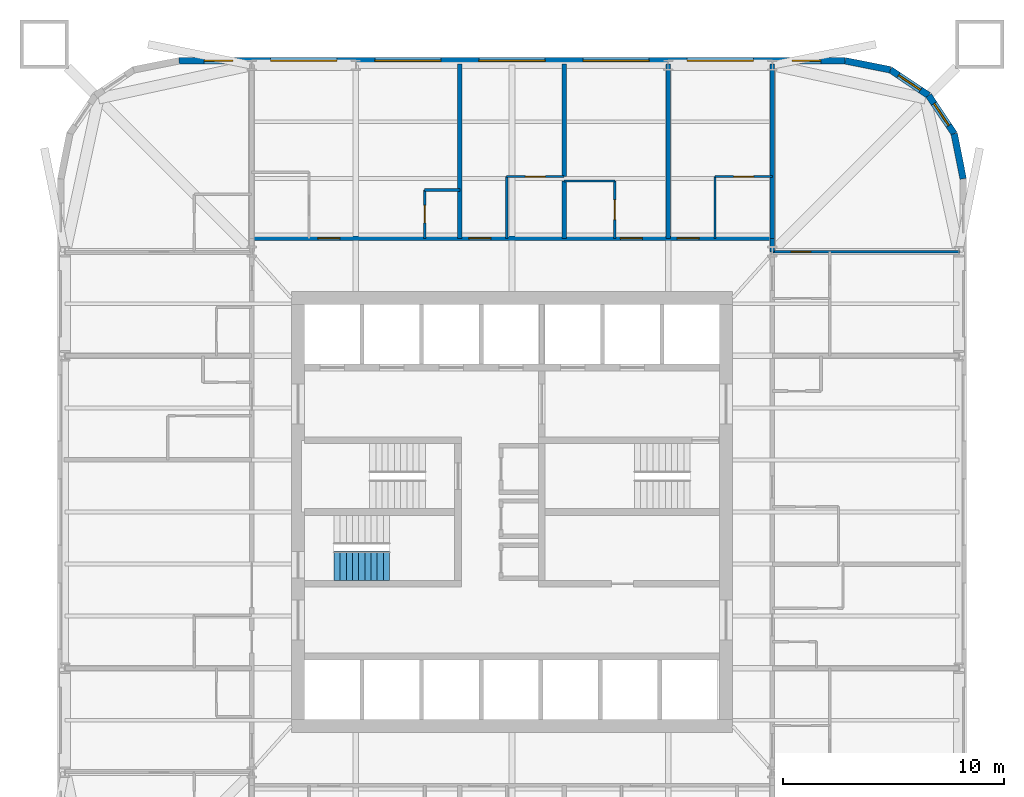
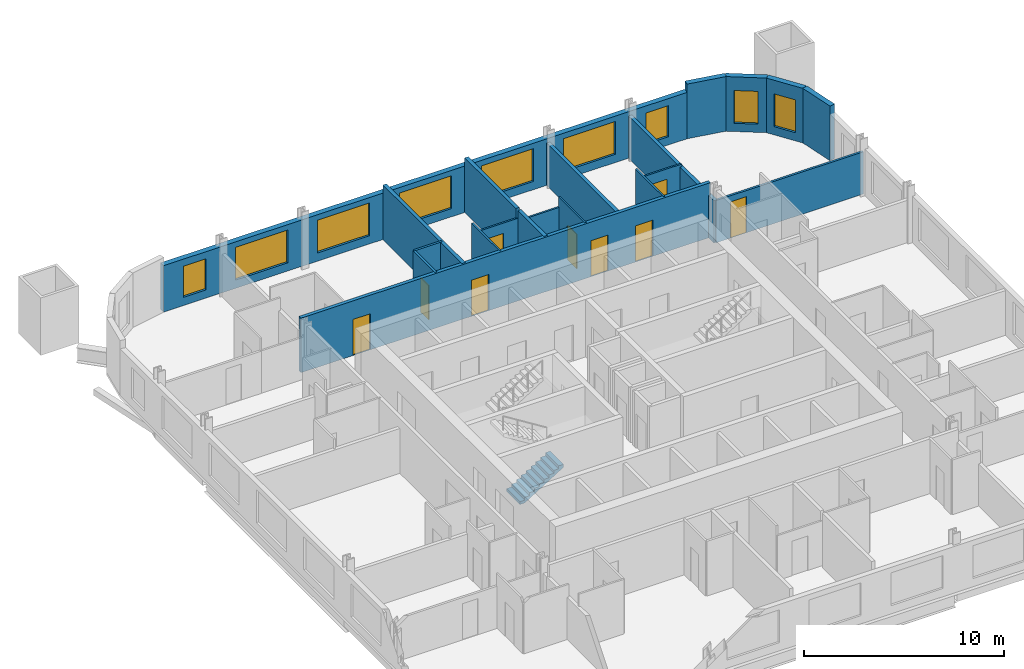
# One storey, part 7 of 9: 21 walls, 9 doors, 9 windows, 1 stair flight, 18 openings, 1 element without a shape of its own.
"""IFC4 building model written with IfcOpenShell, lengths in metres."""

from ifc_helpers import new_model, si_unit, direction, frame, frame_2d, origin, place, context, subcontext, project, spatial, polyline, rectangle, outline, extrude, material, layer, layer_set, type_object, element, fill, aggregate, save


model = new_model("IFC4")

# Units and contexts
model_context = context("Model", 3, precision=1e-05, world=origin(), true_north=direction((0.0, 1.0)))
body_context = subcontext(model_context, "Body", "Model", "MODEL_VIEW")
ifc_project = project(units=[si_unit("LENGTHUNIT", "METRE"), si_unit("AREAUNIT", "SQUARE_METRE"), si_unit("VOLUMEUNIT", "CUBIC_METRE"), si_unit("PLANEANGLEUNIT", "RADIAN"), si_unit("MASSUNIT", "GRAM", prefix="KILO")], contexts=[model_context])

# Site, building, storey
site_placement = place(None, origin())
site = spatial("IfcSite", under=ifc_project, at=site_placement, CompositionType="ELEMENT")
building_placement = place(site_placement, origin())
building = spatial("IfcBuilding", under=site, at=building_placement, Name="Turquesa Mirador Hotel Tower", CompositionType="ELEMENT")
storey_placement = place(building_placement, frame((0.0, 0.0, 100.39990234375)))
storey = spatial("IfcBuildingStorey", under=building, at=storey_placement, Name="L26", CompositionType="ELEMENT", Elevation=100.39990234375)

# Wall
ifc_material_1 = material(Name="Gypsum board on steel studs", Category="steel")
ifc_layer_1 = layer(ifc_material_1, 0.10009765625)
ifc_layer_set_1 = layer_set([ifc_layer_1], Name="BATHROOM WALL 100")
wall_type_1 = type_object("IfcWallType", Name="BATHROOM WALL 100", PredefinedType="PARTITIONING", material=ifc_layer_set_1)
wall_1_placement = place(storey_placement, frame((57.360107421875, 60.0, 0.0), z_axis=(0.0, 0.0, 1.0), x_axis=(1.0, 0.0, 0.0)))
element("IfcWall", 1, at=wall_1_placement, inside=storey, type_object=wall_type_1, Name="Partition L26 027", PredefinedType="PARTITIONING", context=body_context, shape_type="SweptSolid", body=[
    extrude(rectangle(XDim=2.2998046875, YDim=0.10009765625, at=frame_2d((1.14990234375, 0.0))), origin(), (0.0, 0.0, 1.0), 2.730712890625),
])

# Wall, opening, door
wall_2_placement = place(storey_placement, frame((54.760009765625, 60.199951171875, 0.0), z_axis=(0.0, 0.0, 1.0), x_axis=(1.0, 0.0, 0.0)))
wall_2 = element("IfcWall", 2, at=wall_2_placement, inside=storey, type_object=wall_type_1, Name="Partition L26 028", PredefinedType="PARTITIONING", context=body_context, shape_type="SweptSolid", body=[
    extrude(rectangle(XDim=2.60009765625, YDim=0.10009765625, at=frame_2d((1.300048828125, 0.0))), origin(), (0.0, 0.0, 1.0), 2.730712890625),
])
opening_1_placement = place(wall_2_placement, frame((0.85009765625, 0.0, 0.0)))
opening_1 = element("IfcOpeningElement", 3, at=opening_1_placement, cuts=wall_2, Name="Opening D02", PredefinedType="OPENING", context=body_context, shape_type="SweptSolid", body=[
    extrude(rectangle(XDim=0.89990234375, YDim=2.10009765625, at=frame_2d((0.449951171875, 1.050048828125))), frame((0.0, 0.06005859375, 0.0), z_axis=(0.0, -1.0, 0.0), x_axis=(1.0, 0.0, 0.0)), (0.0, 0.0, 1.0), 0.1201171875),
])
ifc_material_2 = material(Name="Timber veneered door", Category="wood")
door_type_1 = type_object("IfcDoorType", Name="DOOR 900X2100 EN-SUITE", OperationType="SINGLE_SWING_RIGHT", PredefinedType="DOOR", material=ifc_material_2)
door_1_placement = place(opening_1_placement, origin())
door_1 = element("IfcDoor", 4, at=door_1_placement, inside=storey, type_object=door_type_1, Name="Door 2602B", OperationType="SINGLE_SWING_RIGHT", OverallHeight=2.10009765625, OverallWidth=0.89990234375, PredefinedType="DOOR", context=body_context, shape_type="SweptSolid", body=[
    extrude(rectangle(XDim=0.89990234375, YDim=2.10009765625, at=frame_2d((0.449951171875, 1.050048828125))), frame((0.0, 0.02490234375, 0.0), z_axis=(0.0, -1.0, 0.0), x_axis=(1.0, 0.0, 0.0)), (0.0, 0.0, 1.0), 0.050048828125),
])
fill(opening_1, door_1)

wall_3_placement = place(storey_placement, frame((64.199951171875, 60.199951171875, 0.0), z_axis=(0.0, 0.0, 1.0), x_axis=(1.0, 0.0, 0.0)))
wall_3 = element("IfcWall", 5, at=wall_3_placement, inside=storey, type_object=wall_type_1, Name="Partition L26 029", PredefinedType="PARTITIONING", context=body_context, shape_type="SweptSolid", body=[
    extrude(rectangle(XDim=2.60009765625, YDim=0.10009765625, at=frame_2d((1.300048828125, 0.0))), origin(), (0.0, 0.0, 1.0), 2.730712890625),
])
opening_2_placement = place(wall_3_placement, frame((0.85009765625, 0.0, 0.0)))
opening_2 = element("IfcOpeningElement", 6, at=opening_2_placement, cuts=wall_3, Name="Opening D02", PredefinedType="OPENING", context=body_context, shape_type="SweptSolid", body=[
    extrude(rectangle(XDim=0.89990234375, YDim=2.10009765625, at=frame_2d((0.449951171875, 1.050048828125))), frame((0.0, 0.06005859375, 0.0), z_axis=(0.0, -1.0, 0.0), x_axis=(1.0, 0.0, 0.0)), (0.0, 0.0, 1.0), 0.1201171875),
])
door_2_placement = place(opening_2_placement, origin())
door_2 = element("IfcDoor", 7, at=door_2_placement, inside=storey, type_object=door_type_1, Name="Door 2604B", OperationType="SINGLE_SWING_RIGHT", OverallHeight=2.10009765625, OverallWidth=0.89990234375, PredefinedType="DOOR", context=body_context, shape_type="SweptSolid", body=[
    extrude(rectangle(XDim=0.89990234375, YDim=2.10009765625, at=frame_2d((0.449951171875, 1.050048828125))), frame((0.0, 0.02490234375, 0.0), z_axis=(0.0, -1.0, 0.0), x_axis=(1.0, 0.0, 0.0)), (0.0, 0.0, 1.0), 0.050048828125),
])
fill(opening_2, door_2)

# Wall
wall_4_placement = place(storey_placement, frame((54.760009765625, 57.39990234375, 0.0), z_axis=(0.0, 0.0, 1.0), x_axis=(0.0, 1.0, 0.0)))
element("IfcWall", 8, at=wall_4_placement, inside=storey, type_object=wall_type_1, Name="Partition L26 040", PredefinedType="PARTITIONING", context=body_context, shape_type="SweptSolid", body=[
    extrude(rectangle(XDim=2.800048828125, YDim=0.10009765625, at=frame_2d((1.39990234375, 0.0))), origin(), (0.0, 0.0, 1.0), 3.330078125),
])

# Wall, opening, door
wall_5_placement = place(storey_placement, frame((59.659912109375, 57.39990234375, 0.0), z_axis=(0.0, 0.0, 1.0), x_axis=(0.0, 1.0, 0.0)))
wall_5 = element("IfcWall", 9, at=wall_5_placement, inside=storey, type_object=wall_type_1, Name="Partition L26 073", PredefinedType="PARTITIONING", context=body_context, shape_type="SweptSolid", body=[
    extrude(rectangle(XDim=2.60009765625, YDim=0.10009765625, at=frame_2d((1.300048828125, 0.0))), origin(), (0.0, 0.0, 1.0), 3.330078125),
])
opening_3_placement = place(wall_5_placement, frame((0.85009765625, 0.0, 0.0)))
opening_3 = element("IfcOpeningElement", 10, at=opening_3_placement, cuts=wall_5, Name="Opening D02", PredefinedType="OPENING", context=body_context, shape_type="SweptSolid", body=[
    extrude(rectangle(XDim=0.89990234375, YDim=2.10009765625, at=frame_2d((0.449951171875, 1.050048828125))), frame((0.0, 0.06005859375, 0.0), z_axis=(0.0, -1.0, 0.0), x_axis=(1.0, 0.0, 0.0)), (0.0, 0.0, 1.0), 0.1201171875),
])
door_3_placement = place(opening_3_placement, origin())
door_3 = element("IfcDoor", 11, at=door_3_placement, inside=storey, type_object=door_type_1, Name="Door 2603B", OperationType="SINGLE_SWING_RIGHT", OverallHeight=2.10009765625, OverallWidth=0.89990234375, PredefinedType="DOOR", context=body_context, shape_type="SweptSolid", body=[
    extrude(rectangle(XDim=0.89990234375, YDim=2.10009765625, at=frame_2d((0.449951171875, 1.050048828125))), frame((0.0, 0.02490234375, 0.0), z_axis=(0.0, -1.0, 0.0), x_axis=(1.0, 0.0, 0.0)), (0.0, 0.0, 1.0), 0.050048828125),
])
fill(opening_3, door_3)

# Wall
wall_6_placement = place(storey_placement, frame((64.199951171875, 57.39990234375, 0.0), z_axis=(0.0, 0.0, 1.0), x_axis=(0.0, 1.0, 0.0)))
element("IfcWall", 12, at=wall_6_placement, inside=storey, type_object=wall_type_1, Name="Partition L26 076", PredefinedType="PARTITIONING", context=body_context, shape_type="SweptSolid", body=[
    extrude(rectangle(XDim=2.800048828125, YDim=0.10009765625, at=frame_2d((1.39990234375, 0.0))), origin(), (0.0, 0.0, 1.0), 3.330078125),
])

# Wall, openings, doors
ifc_material_3 = material(Name="Fire-rated gypsum board on steel studs", Category="steel")
ifc_layer_2 = layer(ifc_material_3, 0.199951171875)
ifc_layer_set_2 = layer_set([ifc_layer_2], Name="CORRIDOR WALL 200")
wall_type_2 = type_object("IfcWallType", Name="CORRIDOR WALL 200", PredefinedType="PARTITIONING", material=ifc_layer_set_2)
wall_7_placement = place(storey_placement, frame((43.199951171875, 57.39990234375, 0.0), z_axis=(0.0, 0.0, 1.0), x_axis=(1.0, 0.0, 0.0)))
wall_7 = element("IfcWall", 13, at=wall_7_placement, inside=storey, type_object=wall_type_2, Name="Partition L26 024", PredefinedType="PARTITIONING", context=body_context, shape_type="SweptSolid", body=[
    extrude(rectangle(XDim=23.60009765625, YDim=0.199951171875, at=frame_2d((11.800048828125, 0.0))), origin(), (0.0, 0.0, 1.0), 3.330078125),
])
opening_4_placement = place(wall_7_placement, frame((3.0, 0.0, 0.0)))
opening_4 = element("IfcOpeningElement", 14, at=opening_4_placement, cuts=wall_7, Name="Opening D01", PredefinedType="OPENING", context=body_context, shape_type="SweptSolid", body=[
    extrude(rectangle(XDim=1.0, YDim=2.199951171875, at=frame_2d((0.5, 1.10009765625))), frame((0.0, 0.10986328125, 0.0), z_axis=(0.0, -1.0, 0.0), x_axis=(1.0, 0.0, 0.0)), (0.0, 0.0, 1.0), 0.219970703125),
])
opening_5_placement = place(wall_7_placement, frame((9.840087890625, 0.0, 0.0)))
opening_5 = element("IfcOpeningElement", 15, at=opening_5_placement, cuts=wall_7, Name="Opening D01", PredefinedType="OPENING", context=body_context, shape_type="SweptSolid", body=[
    extrude(rectangle(XDim=1.0, YDim=2.199951171875, at=frame_2d((0.5, 1.10009765625))), frame((0.0, 0.10986328125, 0.0), z_axis=(0.0, -1.0, 0.0), x_axis=(1.0, 0.0, 0.0)), (0.0, 0.0, 1.0), 0.219970703125),
])
opening_6_placement = place(wall_7_placement, frame((16.7099609375, 0.0, 0.0)))
opening_6 = element("IfcOpeningElement", 16, at=opening_6_placement, cuts=wall_7, Name="Opening D01", PredefinedType="OPENING", context=body_context, shape_type="SweptSolid", body=[
    extrude(rectangle(XDim=1.0, YDim=2.199951171875, at=frame_2d((0.5, 1.10009765625))), frame((0.0, 0.10986328125, 0.0), z_axis=(0.0, -1.0, 0.0), x_axis=(1.0, 0.0, 0.0)), (0.0, 0.0, 1.0), 0.219970703125),
])
opening_7_placement = place(wall_7_placement, frame((19.280029296875, 0.0, 0.0)))
opening_7 = element("IfcOpeningElement", 17, at=opening_7_placement, cuts=wall_7, Name="Opening D01", PredefinedType="OPENING", context=body_context, shape_type="SweptSolid", body=[
    extrude(rectangle(XDim=1.0, YDim=2.199951171875, at=frame_2d((0.5, 1.10009765625))), frame((0.0, 0.10986328125, 0.0), z_axis=(0.0, -1.0, 0.0), x_axis=(1.0, 0.0, 0.0)), (0.0, 0.0, 1.0), 0.219970703125),
])
ifc_material_4 = material(Name="Timber veneered fire door", Category="wood")
door_type_2 = type_object("IfcDoorType", Name="DOOR 1000X2200 GUEST ENTRY", OperationType="SINGLE_SWING_LEFT", PredefinedType="DOOR", material=ifc_material_4)
door_4_placement = place(opening_4_placement, origin())
door_4 = element("IfcDoor", 18, at=door_4_placement, inside=storey, type_object=door_type_2, Name="Door 2601", OperationType="SINGLE_SWING_LEFT", OverallHeight=2.199951171875, OverallWidth=1.0, PredefinedType="DOOR", context=body_context, shape_type="SweptSolid", body=[
    extrude(rectangle(XDim=1.0, YDim=2.199951171875, at=frame_2d((0.5, 1.10009765625))), frame((0.0, 0.02490234375, 0.0), z_axis=(0.0, -1.0, 0.0), x_axis=(1.0, 0.0, 0.0)), (0.0, 0.0, 1.0), 0.050048828125),
])
fill(opening_4, door_4)
door_5_placement = place(opening_5_placement, origin())
door_5 = element("IfcDoor", 19, at=door_5_placement, inside=storey, type_object=door_type_2, Name="Door 2602", OperationType="SINGLE_SWING_LEFT", OverallHeight=2.199951171875, OverallWidth=1.0, PredefinedType="DOOR", context=body_context, shape_type="SweptSolid", body=[
    extrude(rectangle(XDim=1.0, YDim=2.199951171875, at=frame_2d((0.5, 1.10009765625))), frame((0.0, 0.02490234375, 0.0), z_axis=(0.0, -1.0, 0.0), x_axis=(1.0, 0.0, 0.0)), (0.0, 0.0, 1.0), 0.050048828125),
])
fill(opening_5, door_5)
door_6_placement = place(opening_6_placement, origin())
door_6 = element("IfcDoor", 20, at=door_6_placement, inside=storey, type_object=door_type_2, Name="Door 2603", OperationType="SINGLE_SWING_LEFT", OverallHeight=2.199951171875, OverallWidth=1.0, PredefinedType="DOOR", context=body_context, shape_type="SweptSolid", body=[
    extrude(rectangle(XDim=1.0, YDim=2.199951171875, at=frame_2d((0.5, 1.10009765625))), frame((0.0, 0.02490234375, 0.0), z_axis=(0.0, -1.0, 0.0), x_axis=(1.0, 0.0, 0.0)), (0.0, 0.0, 1.0), 0.050048828125),
])
fill(opening_6, door_6)
door_7_placement = place(opening_7_placement, origin())
door_7 = element("IfcDoor", 21, at=door_7_placement, inside=storey, type_object=door_type_2, Name="Door 2604", OperationType="SINGLE_SWING_LEFT", OverallHeight=2.199951171875, OverallWidth=1.0, PredefinedType="DOOR", context=body_context, shape_type="SweptSolid", body=[
    extrude(rectangle(XDim=1.0, YDim=2.199951171875, at=frame_2d((0.5, 1.10009765625))), frame((0.0, 0.02490234375, 0.0), z_axis=(0.0, -1.0, 0.0), x_axis=(1.0, 0.0, 0.0)), (0.0, 0.0, 1.0), 0.050048828125),
])
fill(opening_7, door_7)

# Walls
wall_8_placement = place(storey_placement, frame((66.800048828125, 56.780029296875, 0.0), z_axis=(0.0, 0.0, 1.0), x_axis=(0.0, 1.0, 0.0)))
element("IfcWall", 22, at=wall_8_placement, inside=storey, type_object=wall_type_2, Name="Partition L26 080", PredefinedType="PARTITIONING", context=body_context, shape_type="SweptSolid", body=[
    extrude(rectangle(XDim=0.619873046875, YDim=0.199951171875, at=frame_2d((0.31005859375, 0.0))), origin(), (0.0, 0.0, 1.0), 2.5732421875),
])
ifc_material_5 = material(Name="Limestone cladding on concrete block", Category="masonry")
ifc_layer_3 = layer(ifc_material_5, 0.300048828125)
ifc_layer_set_3 = layer_set([ifc_layer_3], Name="FACADE WALL 300 STONE SCREEN")
wall_type_3 = type_object("IfcWallType", Name="FACADE WALL 300 STONE SCREEN", PredefinedType="SOLIDWALL", material=ifc_layer_set_3)
wall_9_placement = place(storey_placement, frame((75.449951171875, 60.10009765625, 0.0), z_axis=(0.0, 0.0, 1.0), x_axis=(-0.195081421501, 0.980787050784, 0.0)))
element("IfcWall", 23, at=wall_9_placement, inside=storey, type_object=wall_type_3, Name="Facade wall L26 05", PredefinedType="SOLIDWALL", context=body_context, shape_type="SweptSolid", body=[
    extrude(rectangle(XDim=2.08740234375, YDim=0.300048828125, at=frame_2d((1.043701171875, 0.0))), origin(), (0.0, 0.0, 1.0), 3.330078125),
])

# Wall, opening, window
wall_10_placement = place(storey_placement, frame((75.042724609375, 62.1474609375, 0.0), z_axis=(0.0, 0.0, 1.0), x_axis=(-0.555563607591, 0.831474039234, 0.0)))
wall_10 = element("IfcWall", 24, at=wall_10_placement, inside=storey, type_object=wall_type_3, Name="Facade wall L26 06", PredefinedType="SOLIDWALL", context=body_context, shape_type="SweptSolid", body=[
    extrude(rectangle(XDim=2.08740234375, YDim=0.300048828125, at=frame_2d((1.043701171875, 0.0))), origin(), (0.0, 0.0, 1.0), 3.330078125),
])
opening_8_placement = place(wall_10_placement, frame((0.443603515625, 0.0, 0.5)))
opening_8 = element("IfcOpeningElement", 25, at=opening_8_placement, cuts=wall_10, Name="Opening WN4", PredefinedType="OPENING", context=body_context, shape_type="SweptSolid", body=[
    extrude(rectangle(XDim=1.199951171875, YDim=2.0, at=frame_2d((0.60009765625, 1.0))), frame((0.0, 0.159912109375, 0.0), z_axis=(0.0, -1.0, 0.0), x_axis=(1.0, 0.0, 0.0)), (0.0, 0.0, 1.0), 0.320068359375),
])
ifc_material_6 = material(Name="Ceramic-fritted laminated glass", Category="glass")
window_type_1 = type_object("IfcWindowType", Name="FRITTED CORNER WINDOW 1200X2000", PartitioningType="DOUBLE_PANEL_HORIZONTAL", PredefinedType="WINDOW", material=ifc_material_6)
window_1_placement = place(opening_8_placement, origin())
window_1 = element("IfcWindow", 26, at=window_1_placement, inside=storey, type_object=window_type_1, Name="Window L26", OverallHeight=2.0, OverallWidth=1.199951171875, PartitioningType="SINGLE_PANEL", PredefinedType="WINDOW", context=body_context, shape_type="SweptSolid", body=[
    extrude(rectangle(XDim=1.199951171875, YDim=2.0, at=frame_2d((0.60009765625, 1.0))), frame((0.0, 0.030029296875, 0.0), z_axis=(0.0, -1.0, 0.0), x_axis=(1.0, 0.0, 0.0)), (0.0, 0.0, 1.0), 0.06005859375),
])
fill(opening_8, window_1)

wall_11_placement = place(storey_placement, frame((73.883056640625, 63.883056640625, 0.0), z_axis=(0.0, 0.0, 1.0), x_axis=(-0.831474039234, 0.555563607591, 0.0)))
wall_11 = element("IfcWall", 27, at=wall_11_placement, inside=storey, type_object=wall_type_3, Name="Facade wall L26 07", PredefinedType="SOLIDWALL", context=body_context, shape_type="SweptSolid", body=[
    extrude(rectangle(XDim=2.08740234375, YDim=0.300048828125, at=frame_2d((1.043701171875, 0.0))), origin(), (0.0, 0.0, 1.0), 3.330078125),
])
opening_9_placement = place(wall_11_placement, frame((0.443603515625, 0.0, 0.5)))
opening_9 = element("IfcOpeningElement", 28, at=opening_9_placement, cuts=wall_11, Name="Opening WN4", PredefinedType="OPENING", context=body_context, shape_type="SweptSolid", body=[
    extrude(rectangle(XDim=1.199951171875, YDim=2.0, at=frame_2d((0.60009765625, 1.0))), frame((0.0, 0.159912109375, 0.0), z_axis=(0.0, -1.0, 0.0), x_axis=(1.0, 0.0, 0.0)), (0.0, 0.0, 1.0), 0.320068359375),
])
window_2_placement = place(opening_9_placement, origin())
window_2 = element("IfcWindow", 29, at=window_2_placement, inside=storey, type_object=window_type_1, Name="Window L26", OverallHeight=2.0, OverallWidth=1.199951171875, PartitioningType="SINGLE_PANEL", PredefinedType="WINDOW", context=body_context, shape_type="SweptSolid", body=[
    extrude(rectangle(XDim=1.199951171875, YDim=2.0, at=frame_2d((0.60009765625, 1.0))), frame((0.0, 0.030029296875, 0.0), z_axis=(0.0, -1.0, 0.0), x_axis=(1.0, 0.0, 0.0)), (0.0, 0.0, 1.0), 0.06005859375),
])
fill(opening_9, window_2)

# Wall
wall_12_placement = place(storey_placement, frame((72.1474609375, 65.042724609375, 0.0), z_axis=(0.0, 0.0, 1.0), x_axis=(-0.980787050784, 0.195081421501, 0.0)))
element("IfcWall", 30, at=wall_12_placement, inside=storey, type_object=wall_type_3, Name="Facade wall L26 08", PredefinedType="SOLIDWALL", context=body_context, shape_type="SweptSolid", body=[
    extrude(rectangle(XDim=2.08740234375, YDim=0.300048828125, at=frame_2d((1.043701171875, 0.0))), origin(), (0.0, 0.0, 1.0), 3.330078125),
])

# Wall, openings, windows
wall_13_placement = place(storey_placement, frame((70.10009765625, 65.449951171875, 0.0), z_axis=(0.0, 0.0, 1.0), x_axis=(-1.0, 0.0, 0.0)))
wall_13 = element("IfcWall", 31, at=wall_13_placement, inside=storey, type_object=wall_type_3, Name="Facade wall L26 09", PredefinedType="SOLIDWALL", context=body_context, shape_type="SweptSolid", body=[
    extrude(rectangle(XDim=30.2001953125, YDim=0.300048828125, at=frame_2d((15.10009765625, 0.0))), origin(), (0.0, 0.0, 1.0), 2.830078125),
])
opening_10_placement = place(wall_13_placement, frame((1.10009765625, 0.0, 0.5)))
opening_10 = element("IfcOpeningElement", 32, at=opening_10_placement, cuts=wall_13, Name="Opening WN27", PredefinedType="OPENING", context=body_context, shape_type="SweptSolid", body=[
    extrude(rectangle(XDim=1.300048828125, YDim=1.89990234375, at=frame_2d((0.64990234375, 0.949951171875))), frame((0.0, 0.159912109375, 0.0), z_axis=(0.0, -1.0, 0.0), x_axis=(1.0, 0.0, 0.0)), (0.0, 0.0, 1.0), 0.320068359375),
])
opening_11_placement = place(wall_13_placement, frame((4.159912109375, 0.0, 0.5)))
opening_11 = element("IfcOpeningElement", 33, at=opening_11_placement, cuts=wall_13, Name="Opening WN1", PredefinedType="OPENING", context=body_context, shape_type="SweptSolid", body=[
    extrude(rectangle(XDim=3.0, YDim=2.0, at=frame_2d((1.5, 1.0))), frame((0.0, 0.159912109375, 0.0), z_axis=(0.0, -1.0, 0.0), x_axis=(1.0, 0.0, 0.0)), (0.0, 0.0, 1.0), 0.320068359375),
])
opening_12_placement = place(wall_13_placement, frame((8.8798828125, 0.0, 0.5)))
opening_12 = element("IfcOpeningElement", 34, at=opening_12_placement, cuts=wall_13, Name="Opening WN1", PredefinedType="OPENING", context=body_context, shape_type="SweptSolid", body=[
    extrude(rectangle(XDim=3.0, YDim=2.0, at=frame_2d((1.5, 1.0))), frame((0.0, 0.159912109375, 0.0), z_axis=(0.0, -1.0, 0.0), x_axis=(1.0, 0.0, 0.0)), (0.0, 0.0, 1.0), 0.320068359375),
])
opening_13_placement = place(wall_13_placement, frame((13.60009765625, 0.0, 0.5)))
opening_13 = element("IfcOpeningElement", 35, at=opening_13_placement, cuts=wall_13, Name="Opening WN1", PredefinedType="OPENING", context=body_context, shape_type="SweptSolid", body=[
    extrude(rectangle(XDim=3.0, YDim=2.0, at=frame_2d((1.5, 1.0))), frame((0.0, 0.159912109375, 0.0), z_axis=(0.0, -1.0, 0.0), x_axis=(1.0, 0.0, 0.0)), (0.0, 0.0, 1.0), 0.320068359375),
])
opening_14_placement = place(wall_13_placement, frame((18.320068359375, 0.0, 0.5)))
opening_14 = element("IfcOpeningElement", 36, at=opening_14_placement, cuts=wall_13, Name="Opening WN1", PredefinedType="OPENING", context=body_context, shape_type="SweptSolid", body=[
    extrude(rectangle(XDim=3.0, YDim=2.0, at=frame_2d((1.5, 1.0))), frame((0.0, 0.159912109375, 0.0), z_axis=(0.0, -1.0, 0.0), x_axis=(1.0, 0.0, 0.0)), (0.0, 0.0, 1.0), 0.320068359375),
])
opening_15_placement = place(wall_13_placement, frame((23.0400390625, 0.0, 0.5)))
opening_15 = element("IfcOpeningElement", 37, at=opening_15_placement, cuts=wall_13, Name="Opening WN1", PredefinedType="OPENING", context=body_context, shape_type="SweptSolid", body=[
    extrude(rectangle(XDim=3.0, YDim=2.0, at=frame_2d((1.5, 1.0))), frame((0.0, 0.159912109375, 0.0), z_axis=(0.0, -1.0, 0.0), x_axis=(1.0, 0.0, 0.0)), (0.0, 0.0, 1.0), 0.320068359375),
])
opening_16_placement = place(wall_13_placement, frame((27.75, 0.0, 0.5)))
opening_16 = element("IfcOpeningElement", 38, at=opening_16_placement, cuts=wall_13, Name="Opening WN27", PredefinedType="OPENING", context=body_context, shape_type="SweptSolid", body=[
    extrude(rectangle(XDim=1.300048828125, YDim=1.89990234375, at=frame_2d((0.64990234375, 0.949951171875))), frame((0.0, 0.159912109375, 0.0), z_axis=(0.0, -1.0, 0.0), x_axis=(1.0, 0.0, 0.0)), (0.0, 0.0, 1.0), 0.320068359375),
])
ifc_material_7 = material(Name="Ceramic-fritted laminated glass", Category="glass")
window_type_2 = type_object("IfcWindowType", Name="FRITTED WINDOW 1300X1900", PartitioningType="DOUBLE_PANEL_HORIZONTAL", PredefinedType="WINDOW", material=ifc_material_7)
window_3_placement = place(opening_10_placement, origin())
window_3 = element("IfcWindow", 39, at=window_3_placement, inside=storey, type_object=window_type_2, Name="Window L26", OverallHeight=1.89990234375, OverallWidth=1.300048828125, PartitioningType="SINGLE_PANEL", PredefinedType="WINDOW", context=body_context, shape_type="SweptSolid", body=[
    extrude(rectangle(XDim=1.300048828125, YDim=1.89990234375, at=frame_2d((0.64990234375, 0.949951171875))), frame((0.0, 0.030029296875, 0.0), z_axis=(0.0, -1.0, 0.0), x_axis=(1.0, 0.0, 0.0)), (0.0, 0.0, 1.0), 0.06005859375),
])
fill(opening_10, window_3)
window_4_placement = place(opening_16_placement, origin())
window_4 = element("IfcWindow", 40, at=window_4_placement, inside=storey, type_object=window_type_2, Name="Window L26", OverallHeight=1.89990234375, OverallWidth=1.300048828125, PartitioningType="SINGLE_PANEL", PredefinedType="WINDOW", context=body_context, shape_type="SweptSolid", body=[
    extrude(rectangle(XDim=1.300048828125, YDim=1.89990234375, at=frame_2d((0.64990234375, 0.949951171875))), frame((0.0, 0.030029296875, 0.0), z_axis=(0.0, -1.0, 0.0), x_axis=(1.0, 0.0, 0.0)), (0.0, 0.0, 1.0), 0.06005859375),
])
fill(opening_16, window_4)
ifc_material_8 = material(Name="Ceramic-fritted laminated glass", Category="glass")
window_type_3 = type_object("IfcWindowType", Name="FRITTED WINDOW 3000X2000", PartitioningType="DOUBLE_PANEL_HORIZONTAL", PredefinedType="WINDOW", material=ifc_material_8)
window_5_placement = place(opening_11_placement, origin())
window_5 = element("IfcWindow", 41, at=window_5_placement, inside=storey, type_object=window_type_3, Name="Window L26", OverallHeight=2.0, OverallWidth=3.0, PartitioningType="SINGLE_PANEL", PredefinedType="WINDOW", context=body_context, shape_type="SweptSolid", body=[
    extrude(rectangle(XDim=3.0, YDim=2.0, at=frame_2d((1.5, 1.0))), frame((0.0, 0.030029296875, 0.0), z_axis=(0.0, -1.0, 0.0), x_axis=(1.0, 0.0, 0.0)), (0.0, 0.0, 1.0), 0.06005859375),
])
fill(opening_11, window_5)
window_6_placement = place(opening_12_placement, origin())
window_6 = element("IfcWindow", 42, at=window_6_placement, inside=storey, type_object=window_type_3, Name="Window L26", OverallHeight=2.0, OverallWidth=3.0, PartitioningType="SINGLE_PANEL", PredefinedType="WINDOW", context=body_context, shape_type="SweptSolid", body=[
    extrude(rectangle(XDim=3.0, YDim=2.0, at=frame_2d((1.5, 1.0))), frame((0.0, 0.030029296875, 0.0), z_axis=(0.0, -1.0, 0.0), x_axis=(1.0, 0.0, 0.0)), (0.0, 0.0, 1.0), 0.06005859375),
])
fill(opening_12, window_6)
window_7_placement = place(opening_13_placement, origin())
window_7 = element("IfcWindow", 43, at=window_7_placement, inside=storey, type_object=window_type_3, Name="Window L26", OverallHeight=2.0, OverallWidth=3.0, PartitioningType="SINGLE_PANEL", PredefinedType="WINDOW", context=body_context, shape_type="SweptSolid", body=[
    extrude(rectangle(XDim=3.0, YDim=2.0, at=frame_2d((1.5, 1.0))), frame((0.0, 0.030029296875, 0.0), z_axis=(0.0, -1.0, 0.0), x_axis=(1.0, 0.0, 0.0)), (0.0, 0.0, 1.0), 0.06005859375),
])
fill(opening_13, window_7)
window_8_placement = place(opening_14_placement, origin())
window_8 = element("IfcWindow", 44, at=window_8_placement, inside=storey, type_object=window_type_3, Name="Window L26", OverallHeight=2.0, OverallWidth=3.0, PartitioningType="SINGLE_PANEL", PredefinedType="WINDOW", context=body_context, shape_type="SweptSolid", body=[
    extrude(rectangle(XDim=3.0, YDim=2.0, at=frame_2d((1.5, 1.0))), frame((0.0, 0.030029296875, 0.0), z_axis=(0.0, -1.0, 0.0), x_axis=(1.0, 0.0, 0.0)), (0.0, 0.0, 1.0), 0.06005859375),
])
fill(opening_14, window_8)
window_9_placement = place(opening_15_placement, origin())
window_9 = element("IfcWindow", 45, at=window_9_placement, inside=storey, type_object=window_type_3, Name="Window L26", OverallHeight=2.0, OverallWidth=3.0, PartitioningType="SINGLE_PANEL", PredefinedType="WINDOW", context=body_context, shape_type="SweptSolid", body=[
    extrude(rectangle(XDim=3.0, YDim=2.0, at=frame_2d((1.5, 1.0))), frame((0.0, 0.030029296875, 0.0), z_axis=(0.0, -1.0, 0.0), x_axis=(1.0, 0.0, 0.0)), (0.0, 0.0, 1.0), 0.06005859375),
])
fill(opening_15, window_9)

# Walls
ifc_material_9 = material(Name="Fire-rated gypsum board on steel studs", Category="steel")
ifc_layer_4 = layer(ifc_material_9, 0.199951171875)
ifc_layer_set_4 = layer_set([ifc_layer_4], Name="PARTY WALL 200")
wall_type_4 = type_object("IfcWallType", Name="PARTY WALL 200", PredefinedType="PARTITIONING", material=ifc_layer_set_4)
wall_14_placement = place(storey_placement, frame((52.639892578125, 57.39990234375, 0.0), z_axis=(0.0, 0.0, 1.0), x_axis=(0.0, 1.0, 0.0)))
element("IfcWall", 46, at=wall_14_placement, inside=storey, type_object=wall_type_4, Name="Partition L26 052", PredefinedType="PARTITIONING", context=body_context, shape_type="SweptSolid", body=[
    extrude(rectangle(XDim=7.900146484375, YDim=0.199951171875, at=frame_2d((3.9501953125, 0.0))), origin(), (0.0, 0.0, 1.0), 3.330078125),
])
wall_15_placement = place(storey_placement, frame((66.800048828125, 57.39990234375, 0.0), z_axis=(0.0, 0.0, 1.0), x_axis=(0.0, 1.0, 0.0)))
element("IfcWall", 47, at=wall_15_placement, inside=storey, type_object=wall_type_4, Name="Partition L26 060", PredefinedType="PARTITIONING", context=body_context, shape_type="SweptSolid", body=[
    extrude(rectangle(XDim=7.900146484375, YDim=0.199951171875, at=frame_2d((3.9501953125, 0.0))), origin(), (0.0, 0.0, 1.0), 2.5732421875),
])
wall_16_placement = place(storey_placement, frame((57.360107421875, 57.39990234375, 0.0), z_axis=(0.0, 0.0, 1.0), x_axis=(0.0, 1.0, 0.0)))
element("IfcWall", 48, at=wall_16_placement, inside=storey, type_object=wall_type_4, Name="Partition L26 071", PredefinedType="PARTITIONING", context=body_context, shape_type="SweptSolid", body=[
    extrude(rectangle(XDim=2.60009765625, YDim=0.199951171875, at=frame_2d((1.300048828125, 0.0))), origin(), (0.0, 0.0, 1.0), 3.330078125),
])
wall_17_placement = place(storey_placement, frame((57.360107421875, 60.199951171875, 0.0), z_axis=(0.0, 0.0, 1.0), x_axis=(0.0, 1.0, 0.0)))
element("IfcWall", 49, at=wall_17_placement, inside=storey, type_object=wall_type_4, Name="Partition L26 072", PredefinedType="PARTITIONING", context=body_context, shape_type="SweptSolid", body=[
    extrude(rectangle(XDim=5.10009765625, YDim=0.199951171875, at=frame_2d((2.550048828125, 0.0))), origin(), (0.0, 0.0, 1.0), 3.330078125),
])
wall_18_placement = place(storey_placement, frame((62.080078125, 57.39990234375, 0.0), z_axis=(0.0, 0.0, 1.0), x_axis=(0.0, 1.0, 0.0)))
element("IfcWall", 50, at=wall_18_placement, inside=storey, type_object=wall_type_4, Name="Partition L26 075", PredefinedType="PARTITIONING", context=body_context, shape_type="SweptSolid", body=[
    extrude(rectangle(XDim=7.900146484375, YDim=0.199951171875, at=frame_2d((3.9501953125, 0.0))), origin(), (0.0, 0.0, 1.0), 2.5732421875),
])

# Wall, opening, door
ifc_material_10 = material(Name="Acoustic gypsum board on steel studs", Category="steel")
ifc_layer_5 = layer(ifc_material_10, 0.125)
ifc_layer_set_5 = layer_set([ifc_layer_5], Name="SUITE PARTITION 125")
wall_type_5 = type_object("IfcWallType", Name="SUITE PARTITION 125", PredefinedType="PARTITIONING", material=ifc_layer_set_5)
wall_19_placement = place(storey_placement, frame((66.800048828125, 56.800048828125, 0.0), z_axis=(0.0, 0.0, 1.0), x_axis=(1.0, 0.0, 0.0)))
wall_19 = element("IfcWall", 51, at=wall_19_placement, inside=storey, type_object=wall_type_5, Name="Partition L26 023", PredefinedType="PARTITIONING", context=body_context, shape_type="SweptSolid", body=[
    extrude(rectangle(XDim=8.5, YDim=0.125, at=frame_2d((4.25, 0.0))), origin(), (0.0, 0.0, 1.0), 2.5732421875),
])
opening_17_placement = place(wall_19_placement, frame((0.85009765625, 0.0, 0.0)))
opening_17 = element("IfcOpeningElement", 52, at=opening_17_placement, cuts=wall_19, Name="Opening D17", PredefinedType="OPENING", context=body_context, shape_type="SweptSolid", body=[
    extrude(rectangle(XDim=0.89990234375, YDim=2.199951171875, at=frame_2d((0.449951171875, 1.10009765625))), frame((0.0, 0.072509765625, 0.0), z_axis=(0.0, -1.0, 0.0), x_axis=(1.0, 0.0, 0.0)), (0.0, 0.0, 1.0), 0.14501953125),
])
ifc_material_11 = material(Name="Timber veneered door", Category="wood")
door_type_3 = type_object("IfcDoorType", Name="DOOR 900X2200 SUITE INTERNAL", OperationType="SINGLE_SWING_LEFT", PredefinedType="DOOR", material=ifc_material_11)
door_8_placement = place(opening_17_placement, origin())
door_8 = element("IfcDoor", 53, at=door_8_placement, inside=storey, type_object=door_type_3, Name="Door 2611", OperationType="SINGLE_SWING_LEFT", OverallHeight=2.199951171875, OverallWidth=0.89990234375, PredefinedType="DOOR", context=body_context, shape_type="SweptSolid", body=[
    extrude(rectangle(XDim=0.89990234375, YDim=2.199951171875, at=frame_2d((0.449951171875, 1.10009765625))), frame((0.0, 0.02490234375, 0.0), z_axis=(0.0, -1.0, 0.0), x_axis=(1.0, 0.0, 0.0)), (0.0, 0.0, 1.0), 0.050048828125),
])
fill(opening_17, door_8)

# Wall
wall_20_placement = place(storey_placement, frame((51.0400390625, 59.60009765625, 0.0), z_axis=(0.0, 0.0, 1.0), x_axis=(1.0, 0.0, 0.0)))
element("IfcWall", 54, at=wall_20_placement, inside=storey, type_object=wall_type_5, Name="Partition L26 026", PredefinedType="PARTITIONING", context=body_context, shape_type="SweptSolid", body=[
    extrude(rectangle(XDim=1.599853515625, YDim=0.125, at=frame_2d((0.7998046875, 0.0))), origin(), (0.0, 0.0, 1.0), 3.330078125),
])

# Wall, opening, door
wall_21_placement = place(storey_placement, frame((51.0400390625, 57.39990234375, 0.0), z_axis=(0.0, 0.0, 1.0), x_axis=(0.0, 1.0, 0.0)))
wall_21 = element("IfcWall", 55, at=wall_21_placement, inside=storey, type_object=wall_type_5, Name="Partition L26 054", PredefinedType="PARTITIONING", context=body_context, shape_type="SweptSolid", body=[
    extrude(rectangle(XDim=2.2001953125, YDim=0.125, at=frame_2d((1.10009765625, 0.0))), origin(), (0.0, 0.0, 1.0), 3.330078125),
])
opening_18_placement = place(wall_21_placement, frame((0.699951171875, 0.0, 0.0)))
opening_18 = element("IfcOpeningElement", 56, at=opening_18_placement, cuts=wall_21, Name="Opening D20", PredefinedType="OPENING", context=body_context, shape_type="SweptSolid", body=[
    extrude(rectangle(XDim=0.800048828125, YDim=2.10009765625, at=frame_2d((0.39990234375, 1.050048828125))), frame((0.0, 0.072509765625, 0.0), z_axis=(0.0, -1.0, 0.0), x_axis=(1.0, 0.0, 0.0)), (0.0, 0.0, 1.0), 0.14501953125),
])
ifc_material_12 = material(Name="Timber veneered sliding door", Category="wood")
door_type_4 = type_object("IfcDoorType", Name="DOOR 800X2100 WARDROBE", OperationType="SLIDING_TO_LEFT", PredefinedType="DOOR", material=ifc_material_12)
door_9_placement = place(opening_18_placement, origin())
door_9 = element("IfcDoor", 57, at=door_9_placement, inside=storey, type_object=door_type_4, Name="Door 2601W", OperationType="SLIDING_TO_LEFT", OverallHeight=2.10009765625, OverallWidth=0.800048828125, PredefinedType="DOOR", context=body_context, shape_type="SweptSolid", body=[
    extrude(rectangle(XDim=0.800048828125, YDim=2.10009765625, at=frame_2d((0.39990234375, 1.050048828125))), frame((0.0, 0.02490234375, 0.0), z_axis=(0.0, -1.0, 0.0), x_axis=(1.0, 0.0, 0.0)), (0.0, 0.0, 1.0), 0.050048828125),
])
fill(opening_18, door_9)

# Stair, stair flight
ifc_material_13 = material(Name="Concrete C35/45", Category="concrete")
stair_type = type_object("IfcStairType", Name="ESCAPE STAIR CORE", PredefinedType="HALF_TURN_STAIR", material=ifc_material_13)
stair_placement = place(storey_placement, origin())
stair = element("IfcStair", 58, at=stair_placement, inside=storey, type_object=stair_type, Name="Stair ST2 L26 to L27", PredefinedType="HALF_TURN_STAIR")
ifc_material_14 = material(Name="Concrete C35/45 precast flight", Category="concrete")
stair_flight_type = type_object("IfcStairFlightType", Name="STAIR FLIGHT 1330", PredefinedType="STRAIGHT", material=ifc_material_14)
stair_flight_placement = place(storey_placement, frame((46.929931640625, 42.56494140625, 0.0), z_axis=(0.0, 0.0, 1.0), x_axis=(1.0, 0.0, 0.0)))
stair_flight = element("IfcStairFlight", 59, at=stair_flight_placement, type_object=stair_flight_type, Name="ST2 flight 1", NumberOfRisers=10, NumberOfTreads=9, PredefinedType="STRAIGHT", RiserHeight=0.175, TreadLength=0.28, context=body_context, shape_type="SweptSolid", body=[
    extrude(outline(polyline([(0.0, 0.0), (0.0, 0.175048828125), (0.280029296875, 0.175048828125), (0.280029296875, 0.35009765625), (0.56005859375, 0.35009765625), (0.56005859375, 0.52490234375), (0.840087890625, 0.52490234375), (0.840087890625, 0.699951171875), (1.1201171875, 0.699951171875), (1.1201171875, 0.875), (1.39990234375, 0.875), (1.39990234375, 1.050048828125), (1.679931640625, 1.050048828125), (1.679931640625, 1.22509765625), (1.9599609375, 1.22509765625), (1.9599609375, 1.39990234375), (2.239990234375, 1.39990234375), (2.239990234375, 1.574951171875), (2.52001953125, 1.574951171875), (2.52001953125, 1.75), (2.52001953125, 1.398193359375), (0.28271484375, 0.0), (0.0, 0.0)])), frame((0.0, 0.6650390625, 0.0), z_axis=(0.0, -1.0, 0.0), x_axis=(1.0, 0.0, 0.0)), (0.0, 0.0, 1.0), 1.330078125),
])
aggregate(stair, [stair_flight])

save(model, "model.ifc")
